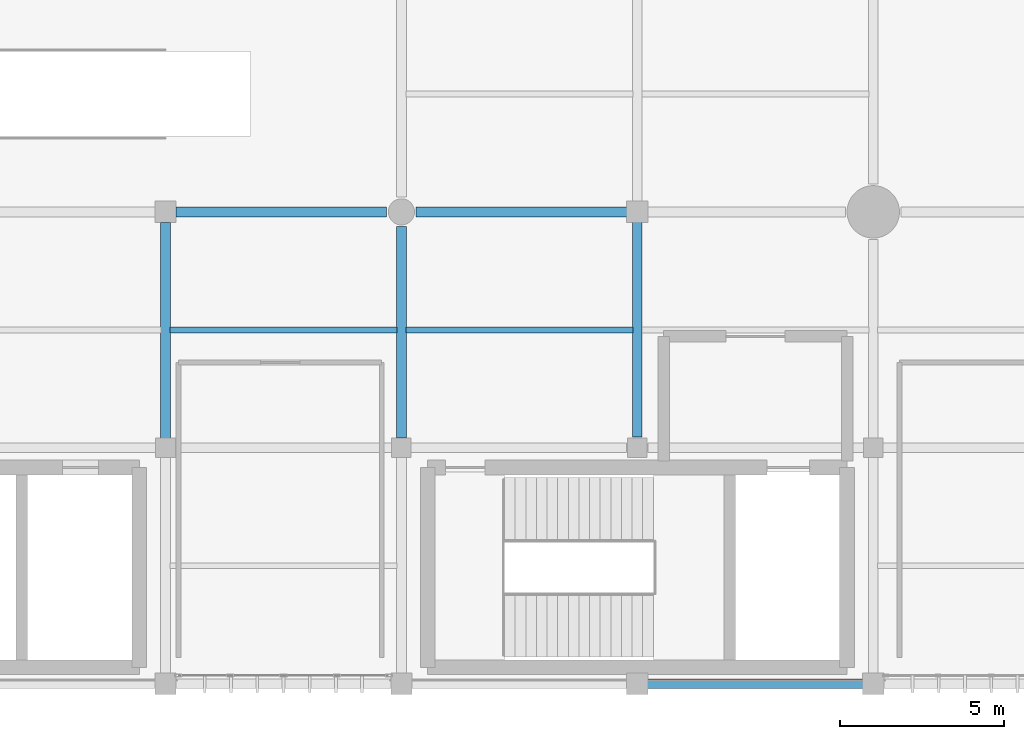
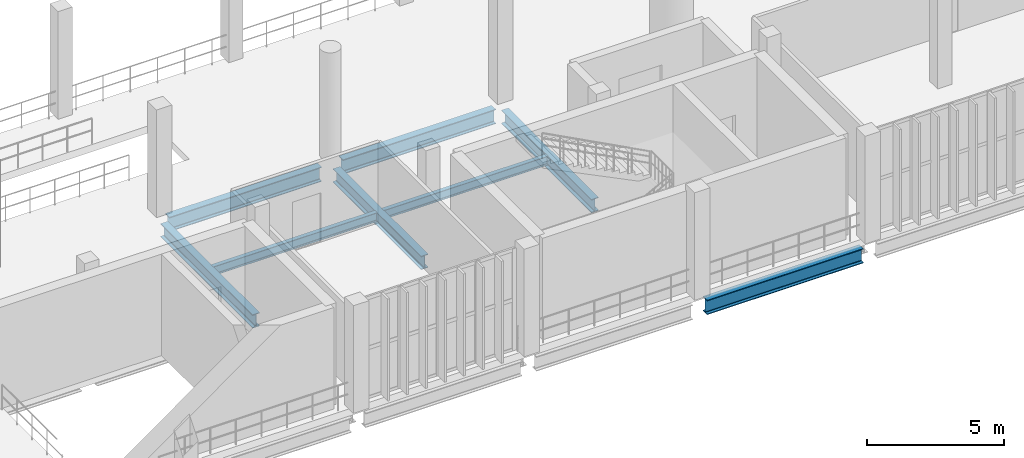
# One storey, part 20 of 105: 8 beams.
"""IFC4 building model written with IfcOpenShell, lengths in metres."""

from ifc_helpers import new_model, si_unit, direction, frame, origin, origin_2d, place, context, subcontext, project, spatial, i_section, extrude, material, material_profile, profile_set, type_object, element, save


model = new_model("IFC4")

# Units and contexts
model_context = context("Model", 3, precision=1e-05, world=origin(), true_north=direction((0.0, 1.0)))
body_context = subcontext(model_context, "Body", "Model", "MODEL_VIEW")
ifc_project = project(units=[si_unit("LENGTHUNIT", "METRE"), si_unit("AREAUNIT", "SQUARE_METRE"), si_unit("VOLUMEUNIT", "CUBIC_METRE"), si_unit("PLANEANGLEUNIT", "RADIAN"), si_unit("MASSUNIT", "GRAM", prefix="KILO")], contexts=[model_context])

# Site, building, storey
site_placement = place(None, origin())
site = spatial("IfcSite", under=ifc_project, at=site_placement, CompositionType="ELEMENT")
building_placement = place(site_placement, origin())
building = spatial("IfcBuilding", under=site, at=building_placement, Name="Qandorah Velis Arena", CompositionType="ELEMENT")
storey_placement = place(building_placement, frame((0.0, 0.0, 13.800048828125)))
storey = spatial("IfcBuildingStorey", under=building, at=storey_placement, Name="L03", CompositionType="ELEMENT", Elevation=13.800048828125)

# Beams
ifc_material = material(Name="Steel S355", Category="steel")
ifc_material_profile_1 = material_profile(ifc_material, i_section(OverallWidth=0.300048828125, OverallDepth=0.60009765625, WebThickness=0.015380859375, FlangeThickness=0.030029296875, FilletRadius=0.027099609375, at=origin_2d()), Name="HEB 600")
ifc_profile_set_1 = profile_set([ifc_material_profile_1], Name="Steel S355")
beam_type_1 = type_object("IfcBeamType", Name="STR-BM-HEB600", PredefinedType="BEAM", material=ifc_profile_set_1)
beam_1_placement = place(storey_placement, frame((64.800048828125, 7.35009765625, -0.6201171875), z_axis=(0.0, 1.0, 0.0), x_axis=(-1.0, 0.0, 0.0)))
element("IfcBeam", 1, at=beam_1_placement, inside=storey, type_object=beam_type_1, Name="Primary floor girder L03 Y-255", PredefinedType="BEAM", context=body_context, shape_type="SweptSolid", body=[
    extrude(i_section(OverallWidth=0.300048828125, OverallDepth=0.60009765625, WebThickness=0.015380859375, FlangeThickness=0.030029296875, FilletRadius=0.027099609375, at=origin_2d()), origin(), (0.0, 0.0, 1.0), 6.724853515625),
])
beam_2_placement = place(storey_placement, frame((72.0, 7.5, -0.6201171875), z_axis=(0.0, 1.0, 0.0), x_axis=(-1.0, 0.0, 0.0)))
element("IfcBeam", 2, at=beam_2_placement, inside=storey, type_object=beam_type_1, Name="Primary floor girder L03 Y-259", PredefinedType="BEAM", context=body_context, shape_type="SweptSolid", body=[
    extrude(i_section(OverallWidth=0.300048828125, OverallDepth=0.60009765625, WebThickness=0.015380859375, FlangeThickness=0.030029296875, FilletRadius=0.027099609375, at=origin_2d()), origin(), (0.0, 0.0, 1.0), 6.449951171875),
])
beam_3_placement = place(storey_placement, frame((79.199951171875, 7.52490234375, -0.6201171875), z_axis=(0.0, 1.0, 0.0), x_axis=(-1.0, 0.0, 0.0)))
element("IfcBeam", 3, at=beam_3_placement, inside=storey, type_object=beam_type_1, Name="Primary floor girder L03 Y-264", PredefinedType="BEAM", context=body_context, shape_type="SweptSolid", body=[
    extrude(i_section(OverallWidth=0.300048828125, OverallDepth=0.60009765625, WebThickness=0.015380859375, FlangeThickness=0.030029296875, FilletRadius=0.027099609375, at=origin_2d()), origin(), (0.0, 0.0, 1.0), 6.5751953125),
])
ifc_material_profile_2 = material_profile(ifc_material, i_section(OverallWidth=0.300048828125, OverallDepth=0.64990234375, WebThickness=0.01611328125, FlangeThickness=0.031005859375, FilletRadius=0.027099609375, at=origin_2d()), Name="HEB 650")
ifc_profile_set_2 = profile_set([ifc_material_profile_2], Name="Steel S355")
beam_type_2 = type_object("IfcBeamType", Name="STR-BM-HEB650", PredefinedType="BEAM", material=ifc_profile_set_2)
beam_4_placement = place(storey_placement, frame((79.5, 0.0, -0.64501953125), z_axis=(1.0, 0.0, 0.0), x_axis=(0.0, 1.0, 0.0)))
element("IfcBeam", 4, at=beam_4_placement, inside=storey, type_object=beam_type_2, Name="Primary floor girder L03 X-008", PredefinedType="BEAM", context=body_context, shape_type="SweptSolid", body=[
    extrude(i_section(OverallWidth=0.300048828125, OverallDepth=0.64990234375, WebThickness=0.01611328125, FlangeThickness=0.031005859375, FilletRadius=0.027099609375, at=origin_2d()), origin(), (0.0, 0.0, 1.0), 6.60009765625),
])
beam_5_placement = place(storey_placement, frame((65.125, 14.39990234375, -0.64501953125), z_axis=(1.0, 0.0, 0.0), x_axis=(0.0, 1.0, 0.0)))
element("IfcBeam", 5, at=beam_5_placement, inside=storey, type_object=beam_type_2, Name="Primary floor girder L03 X-034", PredefinedType="BEAM", context=body_context, shape_type="SweptSolid", body=[
    extrude(i_section(OverallWidth=0.300048828125, OverallDepth=0.64990234375, WebThickness=0.01611328125, FlangeThickness=0.031005859375, FilletRadius=0.027099609375, at=origin_2d()), origin(), (0.0, 0.0, 1.0), 6.425048828125),
])
beam_6_placement = place(storey_placement, frame((72.449951171875, 14.39990234375, -0.64501953125), z_axis=(1.0, 0.0, 0.0), x_axis=(0.0, 1.0, 0.0)))
element("IfcBeam", 6, at=beam_6_placement, inside=storey, type_object=beam_type_2, Name="Primary floor girder L03 X-035", PredefinedType="BEAM", context=body_context, shape_type="SweptSolid", body=[
    extrude(i_section(OverallWidth=0.300048828125, OverallDepth=0.64990234375, WebThickness=0.01611328125, FlangeThickness=0.031005859375, FilletRadius=0.027099609375, at=origin_2d()), origin(), (0.0, 0.0, 1.0), 6.449951171875),
])
ifc_material_profile_3 = material_profile(ifc_material, i_section(OverallWidth=0.179931640625, OverallDepth=0.39990234375, WebThickness=0.008544921875, FlangeThickness=0.013427734375, FilletRadius=0.02099609375, at=origin_2d()), Name="IPE 400")
ifc_profile_set_3 = profile_set([ifc_material_profile_3], Name="Steel S355")
beam_type_3 = type_object("IfcBeamType", Name="STR-JST-IPE400", PredefinedType="JOIST", material=ifc_profile_set_3)
for number, where, z_axis, x_axis, name in (
    (7, (64.93505859375, 10.800048828125, -0.52001953125), (1.0, 0.0, 0.0), (0.0, 1.0, 0.0), "Secondary floor joist L03-052"),
    (8, (72.135009765625, 10.800048828125, -0.52001953125), (1.0, 0.0, 0.0), (0.0, 1.0, 0.0), "Secondary floor joist L03-055"),
):
    element("IfcBeam", number, at=place(storey_placement, frame(where, z_axis=z_axis, x_axis=x_axis)), inside=storey, type_object=beam_type_3, Name=name, PredefinedType="JOIST", context=body_context, shape_type="SweptSolid", body=[
        extrude(i_section(OverallWidth=0.179931640625, OverallDepth=0.39990234375, WebThickness=0.008544921875, FlangeThickness=0.013427734375, FilletRadius=0.02099609375, at=origin_2d()), origin(), (0.0, 0.0, 1.0), 6.929931640625),
    ])

save(model, "model.ifc")
